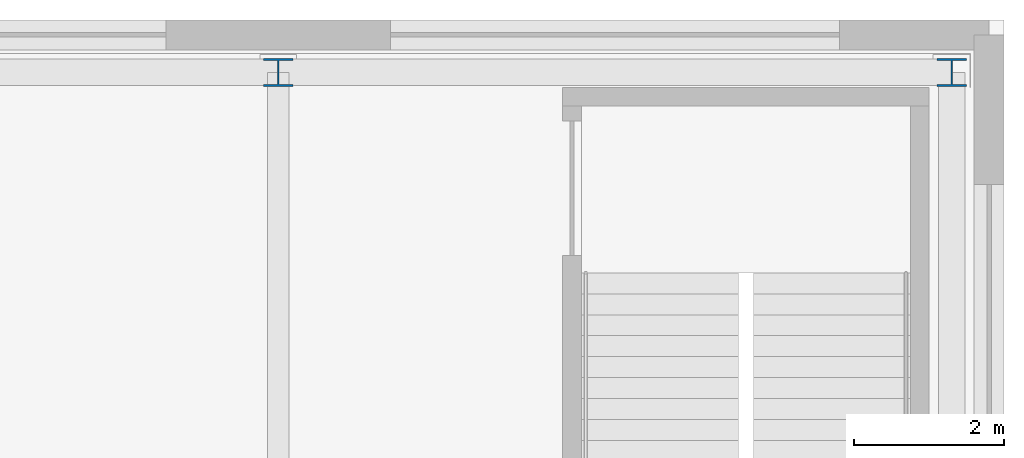
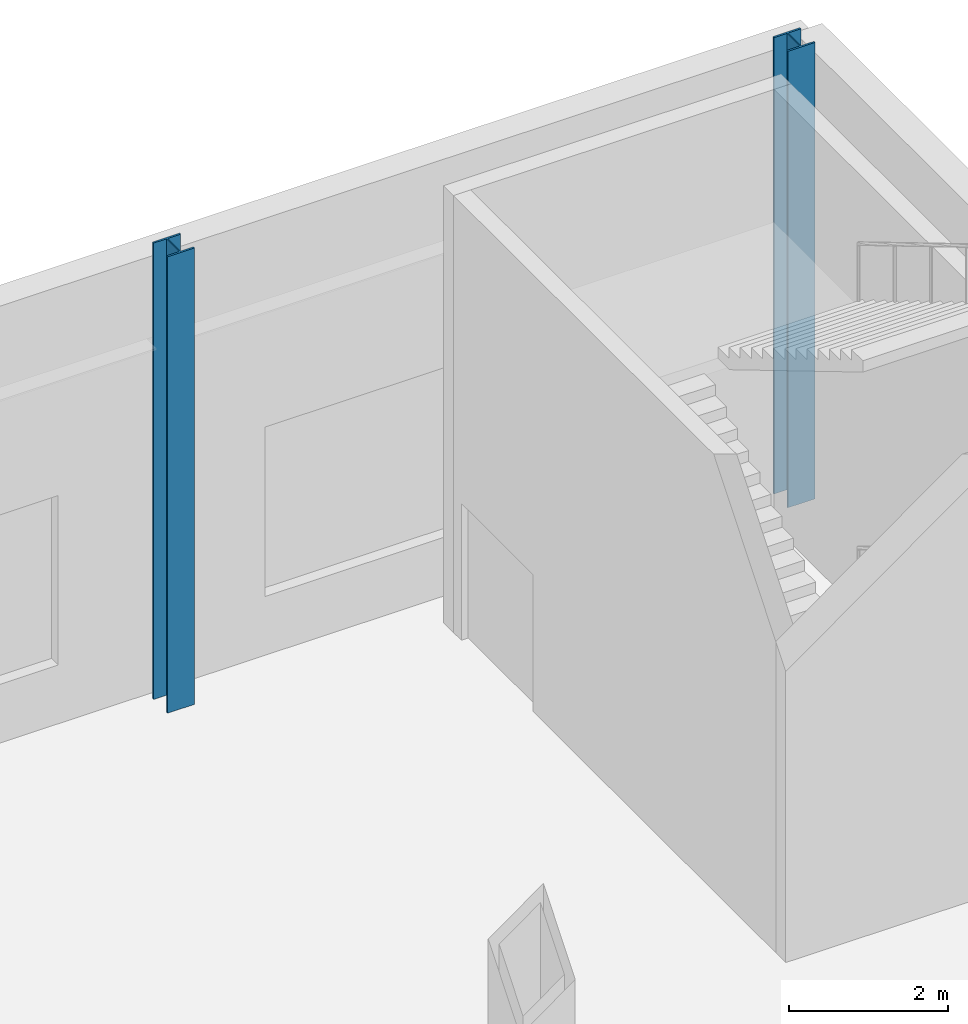
# One storey, part 8 of 32: 2 columns.
"""IFC4 building model written with IfcOpenShell, lengths in metres."""

from ifc_helpers import new_model, si_unit, direction, frame, origin, origin_2d, place, context, subcontext, project, spatial, i_section, extrude, material, material_profile, profile_set, type_object, element, save


model = new_model("IFC4")

# Units and contexts
model_context = context("Model", 3, precision=1e-05, world=origin(), true_north=direction((0.0, 1.0)))
body_context = subcontext(model_context, "Body", "Model", "MODEL_VIEW")
ifc_project = project(units=[si_unit("LENGTHUNIT", "METRE"), si_unit("AREAUNIT", "SQUARE_METRE"), si_unit("VOLUMEUNIT", "CUBIC_METRE"), si_unit("PLANEANGLEUNIT", "RADIAN"), si_unit("MASSUNIT", "GRAM", prefix="KILO")], contexts=[model_context])

# Site, building, storey
site_placement = place(None, origin())
site = spatial("IfcSite", under=ifc_project, at=site_placement, CompositionType="ELEMENT")
building_placement = place(site_placement, origin())
building = spatial("IfcBuilding", under=site, at=building_placement, Name="Loomwork Tower", CompositionType="ELEMENT")
storey_placement = place(building_placement, frame((0.0, 0.0, 16.0)))
storey = spatial("IfcBuildingStorey", under=building, at=storey_placement, Name="L03", CompositionType="ELEMENT", Elevation=16.0)

# Columns
ifc_material = material(Name="Steel ASTM A992", Category="steel")
ifc_material_profile = material_profile(ifc_material, i_section(OverallWidth=0.393798828125, OverallDepth=0.3759765625, WebThickness=0.017333984375, FlangeThickness=0.027587890625, at=origin_2d()), Name="W14x145")
ifc_profile_set = profile_set([ifc_material_profile], Name="Steel ASTM A992")
column_type = type_object("IfcColumnType", Name="PODIUM COLUMN W14x145", PredefinedType="COLUMN", material=ifc_profile_set)
for number, where, z_axis, x_axis, name in (
    (1, (54.0, 45.0, 0.0), (0.0, 0.0, 1.0), (1.0, 0.0, 0.0), "Podium Column J/8 L03"),
    (2, (63.0, 45.0, 0.0), (0.0, 0.0, 1.0), (1.0, 0.0, 0.0), "Podium Column J/9 L03"),
):
    element("IfcColumn", number, at=place(storey_placement, frame(where, z_axis=z_axis, x_axis=x_axis)), inside=storey, type_object=column_type, Name=name, PredefinedType="COLUMN", context=body_context, shape_type="SweptSolid", body=[
        extrude(i_section(OverallWidth=0.393798828125, OverallDepth=0.3759765625, WebThickness=0.017333984375, FlangeThickness=0.027587890625, at=origin_2d()), origin(), (0.0, 0.0, 1.0), 7.0),
    ])

save(model, "model.ifc")
